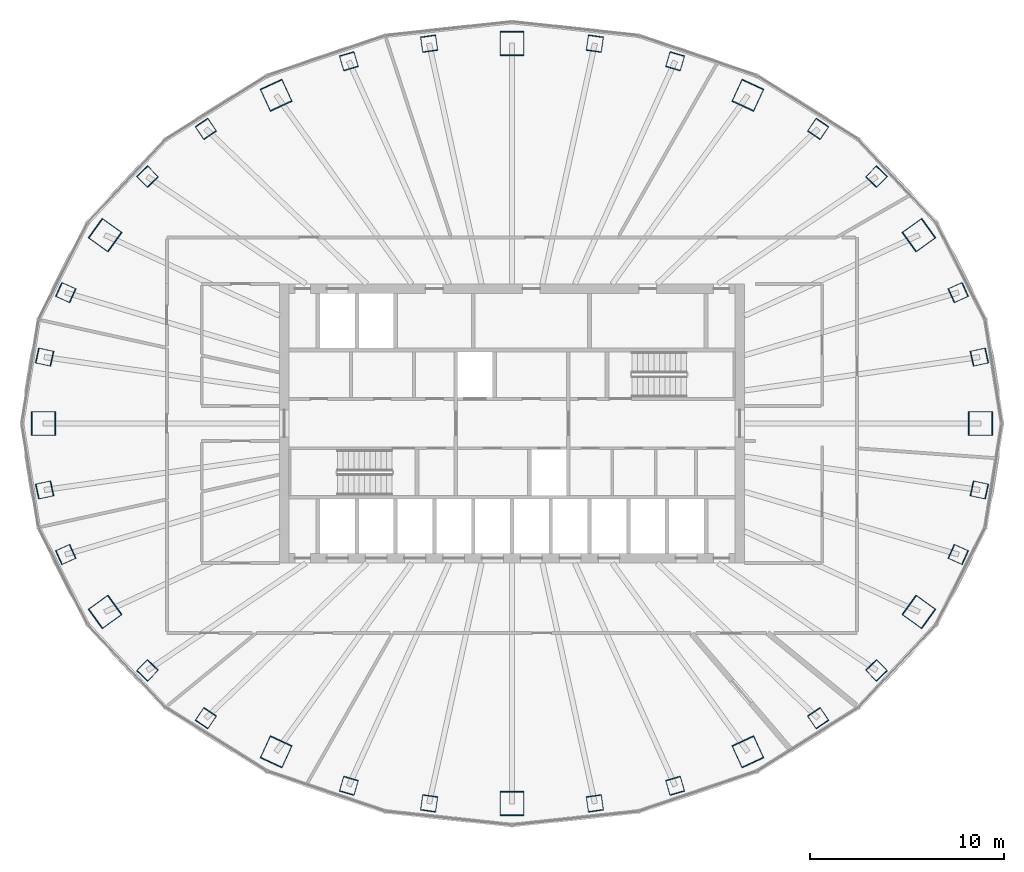
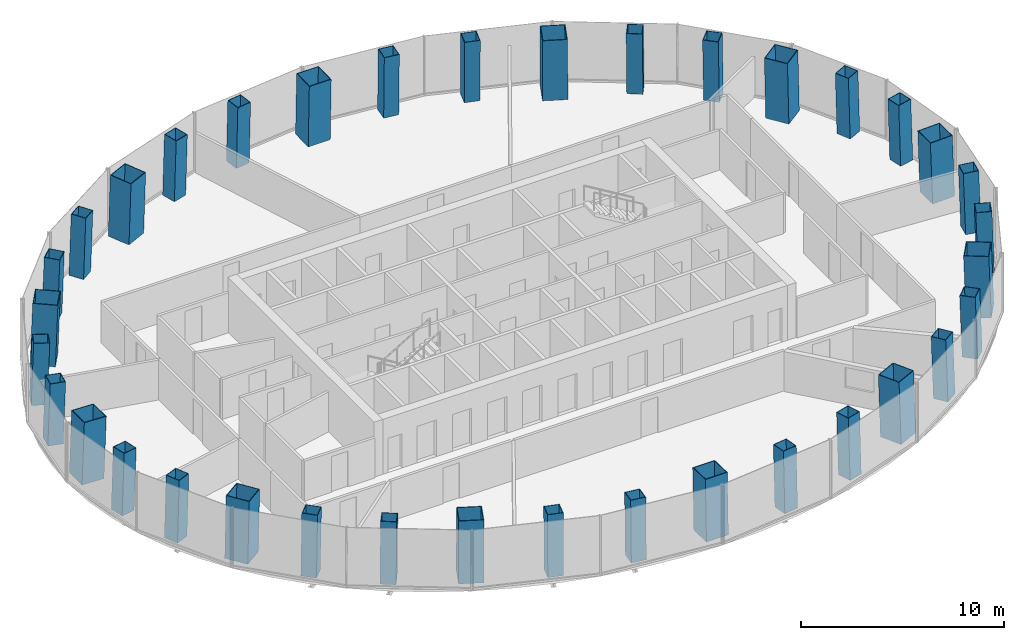
# One storey, part 1 of 11: 36 columns.
"""IFC4 building model written with IfcOpenShell, lengths in metres."""

from ifc_helpers import new_model, si_unit, direction, frame, origin, origin_2d, place, context, subcontext, project, spatial, hollow_rectangle, extrude, material, material_profile, profile_set, type_object, element, save


model = new_model("IFC4")

# Units and contexts
model_context = context("Model", 3, precision=1e-05, world=origin(), true_north=direction((0.0, 1.0)))
body_context = subcontext(model_context, "Body", "Model", "MODEL_VIEW")
ifc_project = project(units=[si_unit("LENGTHUNIT", "METRE"), si_unit("AREAUNIT", "SQUARE_METRE"), si_unit("VOLUMEUNIT", "CUBIC_METRE"), si_unit("PLANEANGLEUNIT", "RADIAN"), si_unit("MASSUNIT", "GRAM", prefix="KILO")], contexts=[model_context])

# Site, building, storey
site_placement = place(None, origin())
site = spatial("IfcSite", under=ifc_project, at=site_placement, CompositionType="ELEMENT")
building_placement = place(site_placement, origin())
building = spatial("IfcBuilding", under=site, at=building_placement, Name="Siaravel Broadcast Tower", CompositionType="ELEMENT")
storey_placement = place(building_placement, frame((0.0, 0.0, 123.0)))
storey = spatial("IfcBuildingStorey", under=building, at=storey_placement, Name="L29", CompositionType="ELEMENT", Elevation=123.0)

# Columns
ifc_material = material(Name="Concrete C60/75", Category="concrete")
ifc_material_profile_1 = material_profile(ifc_material, hollow_rectangle(XDim=1.25, YDim=1.25, WallThickness=0.031982421875, at=origin_2d()))
ifc_profile_set_1 = profile_set([ifc_material_profile_1], Name="Concrete C60/75")
column_type_1 = type_object("IfcColumnType", Name="COL-CFT BOX 1250x1250x32", PredefinedType="COLUMN", material=ifc_profile_set_1)
column_1_placement = place(storey_placement, frame((24.185302734375, 0.0, 0.0), z_axis=(-0.034621265, 0.0, 0.999400504), x_axis=(0.0, -1.0, 0.0)))
element("IfcColumn", 1, at=column_1_placement, inside=storey, type_object=column_type_1, Name="Megacolumn MC01", PredefinedType="COLUMN", context=body_context, shape_type="SweptSolid", body=[
    extrude(hollow_rectangle(XDim=1.25, YDim=1.25, WallThickness=0.031982421875, at=origin_2d()), origin(), (0.0, 0.0, 1.0), 3.7021484375),
])
column_2_placement = place(storey_placement, frame((20.99853515625, 9.721923828125, 0.0), z_axis=(-0.029940667, -0.01417895, 0.999451106), x_axis=(0.583108463, -0.812372573, 0.005943328)))
element("IfcColumn", 2, at=column_2_placement, inside=storey, type_object=column_type_1, Name="Megacolumn MC02", PredefinedType="COLUMN", context=body_context, shape_type="SweptSolid", body=[
    extrude(hollow_rectangle(XDim=1.25, YDim=1.25, WallThickness=0.031982421875, at=origin_2d()), origin(), (0.0, 0.0, 1.0), 3.701904296875),
])
column_3_placement = place(storey_placement, frame((12.17236328125, 16.942138671875, 0.0), z_axis=(-0.017280237, -0.024535299, 0.999549605), x_axis=(0.907942342, -0.419060179, 0.005410129)))
element("IfcColumn", 3, at=column_3_placement, inside=storey, type_object=column_type_1, Name="Megacolumn MC03", PredefinedType="COLUMN", context=body_context, shape_type="SweptSolid", body=[
    extrude(hollow_rectangle(XDim=1.25, YDim=1.25, WallThickness=0.031982421875, at=origin_2d()), origin(), (0.0, 0.0, 1.0), 3.70166015625),
])
column_4_placement = place(storey_placement, frame((0.0, 19.611328125, 0.0), z_axis=(0.0, -0.028296154, 0.999599584), x_axis=(1.0, 0.0, 0.0)))
element("IfcColumn", 4, at=column_4_placement, inside=storey, type_object=column_type_1, Name="Megacolumn MC04", PredefinedType="COLUMN", context=body_context, shape_type="SweptSolid", body=[
    extrude(hollow_rectangle(XDim=1.25, YDim=1.25, WallThickness=0.031982421875, at=origin_2d()), origin(), (0.0, 0.0, 1.0), 3.701416015625),
])
column_5_placement = place(storey_placement, frame((-12.17236328125, 16.942138671875, 0.0), z_axis=(0.017280237, -0.024535299, 0.999549605), x_axis=(0.907942342, 0.419060179, -0.005410129)))
element("IfcColumn", 5, at=column_5_placement, inside=storey, type_object=column_type_1, Name="Megacolumn MC05", PredefinedType="COLUMN", context=body_context, shape_type="SweptSolid", body=[
    extrude(hollow_rectangle(XDim=1.25, YDim=1.25, WallThickness=0.031982421875, at=origin_2d()), origin(), (0.0, 0.0, 1.0), 3.70166015625),
])
column_6_placement = place(storey_placement, frame((-20.99853515625, 9.721923828125, 0.0), z_axis=(0.029940667, -0.01417895, 0.999451106), x_axis=(0.583108463, 0.812372573, -0.005943328)))
element("IfcColumn", 6, at=column_6_placement, inside=storey, type_object=column_type_1, Name="Megacolumn MC06", PredefinedType="COLUMN", context=body_context, shape_type="SweptSolid", body=[
    extrude(hollow_rectangle(XDim=1.25, YDim=1.25, WallThickness=0.031982421875, at=origin_2d()), origin(), (0.0, 0.0, 1.0), 3.701904296875),
])
column_7_placement = place(storey_placement, frame((-24.185302734375, 0.0, 0.0), z_axis=(0.034621265, 0.0, 0.999400504), x_axis=(0.0, 1.0, 0.0)))
element("IfcColumn", 7, at=column_7_placement, inside=storey, type_object=column_type_1, Name="Megacolumn MC07", PredefinedType="COLUMN", context=body_context, shape_type="SweptSolid", body=[
    extrude(hollow_rectangle(XDim=1.25, YDim=1.25, WallThickness=0.031982421875, at=origin_2d()), origin(), (0.0, 0.0, 1.0), 3.7021484375),
])
column_8_placement = place(storey_placement, frame((-20.99853515625, -9.721923828125, 0.0), z_axis=(0.029940667, 0.01417895, 0.999451106), x_axis=(-0.583108463, 0.812372573, 0.005943328)))
element("IfcColumn", 8, at=column_8_placement, inside=storey, type_object=column_type_1, Name="Megacolumn MC08", PredefinedType="COLUMN", context=body_context, shape_type="SweptSolid", body=[
    extrude(hollow_rectangle(XDim=1.25, YDim=1.25, WallThickness=0.031982421875, at=origin_2d()), origin(), (0.0, 0.0, 1.0), 3.701904296875),
])
column_9_placement = place(storey_placement, frame((-12.17236328125, -16.942138671875, 0.0), z_axis=(0.017280237, 0.024535299, 0.999549605), x_axis=(-0.907942342, 0.419060179, 0.005410129)))
element("IfcColumn", 9, at=column_9_placement, inside=storey, type_object=column_type_1, Name="Megacolumn MC09", PredefinedType="COLUMN", context=body_context, shape_type="SweptSolid", body=[
    extrude(hollow_rectangle(XDim=1.25, YDim=1.25, WallThickness=0.031982421875, at=origin_2d()), origin(), (0.0, 0.0, 1.0), 3.70166015625),
])
column_10_placement = place(storey_placement, frame((0.0, -19.611328125, 0.0), z_axis=(0.0, 0.028296154, 0.999599584), x_axis=(-1.0, 0.0, 0.0)))
element("IfcColumn", 10, at=column_10_placement, inside=storey, type_object=column_type_1, Name="Megacolumn MC10", PredefinedType="COLUMN", context=body_context, shape_type="SweptSolid", body=[
    extrude(hollow_rectangle(XDim=1.25, YDim=1.25, WallThickness=0.031982421875, at=origin_2d()), origin(), (0.0, 0.0, 1.0), 3.701416015625),
])
column_11_placement = place(storey_placement, frame((12.17236328125, -16.942138671875, 0.0), z_axis=(-0.017280237, 0.024535299, 0.999549605), x_axis=(-0.907942342, -0.419060179, -0.005410129)))
element("IfcColumn", 11, at=column_11_placement, inside=storey, type_object=column_type_1, Name="Megacolumn MC11", PredefinedType="COLUMN", context=body_context, shape_type="SweptSolid", body=[
    extrude(hollow_rectangle(XDim=1.25, YDim=1.25, WallThickness=0.031982421875, at=origin_2d()), origin(), (0.0, 0.0, 1.0), 3.70166015625),
])
column_12_placement = place(storey_placement, frame((20.99853515625, -9.721923828125, 0.0), z_axis=(-0.029940667, 0.01417895, 0.999451106), x_axis=(-0.583108463, -0.812372573, -0.005943328)))
element("IfcColumn", 12, at=column_12_placement, inside=storey, type_object=column_type_1, Name="Megacolumn MC12", PredefinedType="COLUMN", context=body_context, shape_type="SweptSolid", body=[
    extrude(hollow_rectangle(XDim=1.25, YDim=1.25, WallThickness=0.031982421875, at=origin_2d()), origin(), (0.0, 0.0, 1.0), 3.701904296875),
])
ifc_material_profile_2 = material_profile(ifc_material, hollow_rectangle(XDim=0.800048828125, YDim=0.800048828125, WallThickness=0.02490234375, at=origin_2d()))
ifc_profile_set_2 = profile_set([ifc_material_profile_2], Name="Concrete C60/75")
column_type_2 = type_object("IfcColumnType", Name="COL-CFT BOX 800x800x25", PredefinedType="COLUMN", material=ifc_profile_set_2)
for number, where, z_axis, x_axis, name in (
    (13, (24.118896484375, 3.427978515625, 0.0), (-0.034028045, -0.004879991, 0.999408964), (0.211627807, -0.977347303, 0.002433273), "Perimeter column C01"),
    (14, (23.029296875, 6.7587890625, 0.0), (-0.032511791, -0.009694185, 0.999424337), (0.409917494, -0.912111567, 0.004487557), "Perimeter column C02"),
):
    element("IfcColumn", number, at=place(storey_placement, frame(where, z_axis=z_axis, x_axis=x_axis)), inside=storey, type_object=column_type_2, Name=name, PredefinedType="COLUMN", context=body_context, shape_type="SweptSolid", body=[
        extrude(hollow_rectangle(XDim=0.800048828125, YDim=0.800048828125, WallThickness=0.02490234375, at=origin_2d()), origin(), (0.0, 0.0, 1.0), 3.7021484375),
    ])
column_13_placement = place(storey_placement, frame((18.810791015625, 12.740478515625, 0.0), z_axis=(-0.026512179, -0.018202391, 0.999482755), x_axis=(0.719899055, -0.694048752, 0.006456085)))
element("IfcColumn", 15, at=column_13_placement, inside=storey, type_object=column_type_2, Name="Perimeter column C03", PredefinedType="COLUMN", context=body_context, shape_type="SweptSolid", body=[
    extrude(hollow_rectangle(XDim=0.800048828125, YDim=0.800048828125, WallThickness=0.02490234375, at=origin_2d()), origin(), (0.0, 0.0, 1.0), 3.701904296875),
])
column_14_placement = place(storey_placement, frame((15.7998046875, 15.20654296875, 0.0), z_axis=(-0.022226156, -0.021698532, 0.999517469), x_axis=(0.828057425, -0.560608529, 0.006243164)))
element("IfcColumn", 16, at=column_14_placement, inside=storey, type_object=column_type_2, Name="Perimeter column C04", PredefinedType="COLUMN", context=body_context, shape_type="SweptSolid", body=[
    extrude(hollow_rectangle(XDim=0.800048828125, YDim=0.800048828125, WallThickness=0.02490234375, at=origin_2d()), origin(), (0.0, 0.0, 1.0), 3.70166015625),
])
for number, where, z_axis, x_axis, name in (
    (17, (8.41943359375, 18.69580078125, 0.0), (-0.011806266, -0.026646544, 0.999575197), (0.96000908, -0.279942031, 0.003876281), "Perimeter column C05"),
    (18, (4.2763671875, 19.60498046875, 0.0), (-0.006002173, -0.027900212, 0.999592693), (0.990130354, -0.140134736, 0.002033974), "Perimeter column C06"),
    (19, (-4.2763671875, 19.60498046875, 0.0), (0.006002173, -0.027900212, 0.999592693), (0.990130354, 0.140134736, -0.002033974), "Perimeter column C07"),
    (20, (-8.41943359375, 18.69580078125, 0.0), (0.011806266, -0.026646544, 0.999575197), (0.96000908, 0.279942031, -0.003876281), "Perimeter column C08"),
):
    element("IfcColumn", number, at=place(storey_placement, frame(where, z_axis=z_axis, x_axis=x_axis)), inside=storey, type_object=column_type_2, Name=name, PredefinedType="COLUMN", context=body_context, shape_type="SweptSolid", body=[
        extrude(hollow_rectangle(XDim=0.800048828125, YDim=0.800048828125, WallThickness=0.02490234375, at=origin_2d()), origin(), (0.0, 0.0, 1.0), 3.701416015625),
    ])
column_15_placement = place(storey_placement, frame((-15.7998046875, 15.20654296875, 0.0), z_axis=(0.022226156, -0.021698532, 0.999517469), x_axis=(0.828057425, 0.560608529, -0.006243164)))
element("IfcColumn", 21, at=column_15_placement, inside=storey, type_object=column_type_2, Name="Perimeter column C09", PredefinedType="COLUMN", context=body_context, shape_type="SweptSolid", body=[
    extrude(hollow_rectangle(XDim=0.800048828125, YDim=0.800048828125, WallThickness=0.02490234375, at=origin_2d()), origin(), (0.0, 0.0, 1.0), 3.70166015625),
])
column_16_placement = place(storey_placement, frame((-18.810791015625, 12.740478515625, 0.0), z_axis=(0.026512179, -0.018202391, 0.999482755), x_axis=(0.719899055, 0.694048752, -0.006456085)))
element("IfcColumn", 22, at=column_16_placement, inside=storey, type_object=column_type_2, Name="Perimeter column C10", PredefinedType="COLUMN", context=body_context, shape_type="SweptSolid", body=[
    extrude(hollow_rectangle(XDim=0.800048828125, YDim=0.800048828125, WallThickness=0.02490234375, at=origin_2d()), origin(), (0.0, 0.0, 1.0), 3.701904296875),
])
for number, where, z_axis, x_axis, name in (
    (23, (-23.029296875, 6.7587890625, 0.0), (0.032511791, -0.009694185, 0.999424337), (0.409917494, 0.912111567, -0.004487557), "Perimeter column C11"),
    (24, (-24.118896484375, 3.427978515625, 0.0), (0.034028045, -0.004879991, 0.999408964), (0.211627807, 0.977347303, -0.002433273), "Perimeter column C12"),
    (25, (-24.118896484375, -3.427978515625, 0.0), (0.034028045, 0.004879991, 0.999408964), (-0.211627807, 0.977347303, 0.002433273), "Perimeter column C13"),
    (26, (-23.029296875, -6.7587890625, 0.0), (0.032511791, 0.009694185, 0.999424337), (-0.409917494, 0.912111567, 0.004487557), "Perimeter column C14"),
):
    element("IfcColumn", number, at=place(storey_placement, frame(where, z_axis=z_axis, x_axis=x_axis)), inside=storey, type_object=column_type_2, Name=name, PredefinedType="COLUMN", context=body_context, shape_type="SweptSolid", body=[
        extrude(hollow_rectangle(XDim=0.800048828125, YDim=0.800048828125, WallThickness=0.02490234375, at=origin_2d()), origin(), (0.0, 0.0, 1.0), 3.7021484375),
    ])
column_17_placement = place(storey_placement, frame((-18.810791015625, -12.740478515625, 0.0), z_axis=(0.026512179, 0.018202391, 0.999482755), x_axis=(-0.719899055, 0.694048752, 0.006456085)))
element("IfcColumn", 27, at=column_17_placement, inside=storey, type_object=column_type_2, Name="Perimeter column C15", PredefinedType="COLUMN", context=body_context, shape_type="SweptSolid", body=[
    extrude(hollow_rectangle(XDim=0.800048828125, YDim=0.800048828125, WallThickness=0.02490234375, at=origin_2d()), origin(), (0.0, 0.0, 1.0), 3.701904296875),
])
column_18_placement = place(storey_placement, frame((-15.7998046875, -15.20654296875, 0.0), z_axis=(0.022226156, 0.021698532, 0.999517469), x_axis=(-0.828057425, 0.560608529, 0.006243164)))
element("IfcColumn", 28, at=column_18_placement, inside=storey, type_object=column_type_2, Name="Perimeter column C16", PredefinedType="COLUMN", context=body_context, shape_type="SweptSolid", body=[
    extrude(hollow_rectangle(XDim=0.800048828125, YDim=0.800048828125, WallThickness=0.02490234375, at=origin_2d()), origin(), (0.0, 0.0, 1.0), 3.70166015625),
])
for number, where, z_axis, x_axis, name in (
    (29, (-8.41943359375, -18.69580078125, 0.0), (0.011806266, 0.026646544, 0.999575197), (-0.96000908, 0.279942031, 0.003876281), "Perimeter column C17"),
    (30, (-4.2763671875, -19.60498046875, 0.0), (0.006002173, 0.027900212, 0.999592693), (-0.990130354, 0.140134736, 0.002033974), "Perimeter column C18"),
    (31, (4.2763671875, -19.60498046875, 0.0), (-0.006002173, 0.027900212, 0.999592693), (-0.990130354, -0.140134736, -0.002033974), "Perimeter column C19"),
    (32, (8.41943359375, -18.69580078125, 0.0), (-0.011806266, 0.026646544, 0.999575197), (-0.96000908, -0.279942031, -0.003876281), "Perimeter column C20"),
):
    element("IfcColumn", number, at=place(storey_placement, frame(where, z_axis=z_axis, x_axis=x_axis)), inside=storey, type_object=column_type_2, Name=name, PredefinedType="COLUMN", context=body_context, shape_type="SweptSolid", body=[
        extrude(hollow_rectangle(XDim=0.800048828125, YDim=0.800048828125, WallThickness=0.02490234375, at=origin_2d()), origin(), (0.0, 0.0, 1.0), 3.701416015625),
    ])
column_19_placement = place(storey_placement, frame((15.7998046875, -15.20654296875, 0.0), z_axis=(-0.022226156, 0.021698532, 0.999517469), x_axis=(-0.828057425, -0.560608529, -0.006243164)))
element("IfcColumn", 33, at=column_19_placement, inside=storey, type_object=column_type_2, Name="Perimeter column C21", PredefinedType="COLUMN", context=body_context, shape_type="SweptSolid", body=[
    extrude(hollow_rectangle(XDim=0.800048828125, YDim=0.800048828125, WallThickness=0.02490234375, at=origin_2d()), origin(), (0.0, 0.0, 1.0), 3.70166015625),
])
column_20_placement = place(storey_placement, frame((18.810791015625, -12.740478515625, 0.0), z_axis=(-0.026512179, 0.018202391, 0.999482755), x_axis=(-0.719899055, -0.694048752, -0.006456085)))
element("IfcColumn", 34, at=column_20_placement, inside=storey, type_object=column_type_2, Name="Perimeter column C22", PredefinedType="COLUMN", context=body_context, shape_type="SweptSolid", body=[
    extrude(hollow_rectangle(XDim=0.800048828125, YDim=0.800048828125, WallThickness=0.02490234375, at=origin_2d()), origin(), (0.0, 0.0, 1.0), 3.701904296875),
])
for number, where, z_axis, x_axis, name in (
    (35, (23.029296875, -6.7587890625, 0.0), (-0.032511791, 0.009694185, 0.999424337), (-0.409917494, -0.912111567, -0.004487557), "Perimeter column C23"),
    (36, (24.118896484375, -3.427978515625, 0.0), (-0.034028045, 0.004879991, 0.999408964), (-0.211627807, -0.977347303, -0.002433273), "Perimeter column C24"),
):
    element("IfcColumn", number, at=place(storey_placement, frame(where, z_axis=z_axis, x_axis=x_axis)), inside=storey, type_object=column_type_2, Name=name, PredefinedType="COLUMN", context=body_context, shape_type="SweptSolid", body=[
        extrude(hollow_rectangle(XDim=0.800048828125, YDim=0.800048828125, WallThickness=0.02490234375, at=origin_2d()), origin(), (0.0, 0.0, 1.0), 3.7021484375),
    ])

save(model, "model.ifc")
